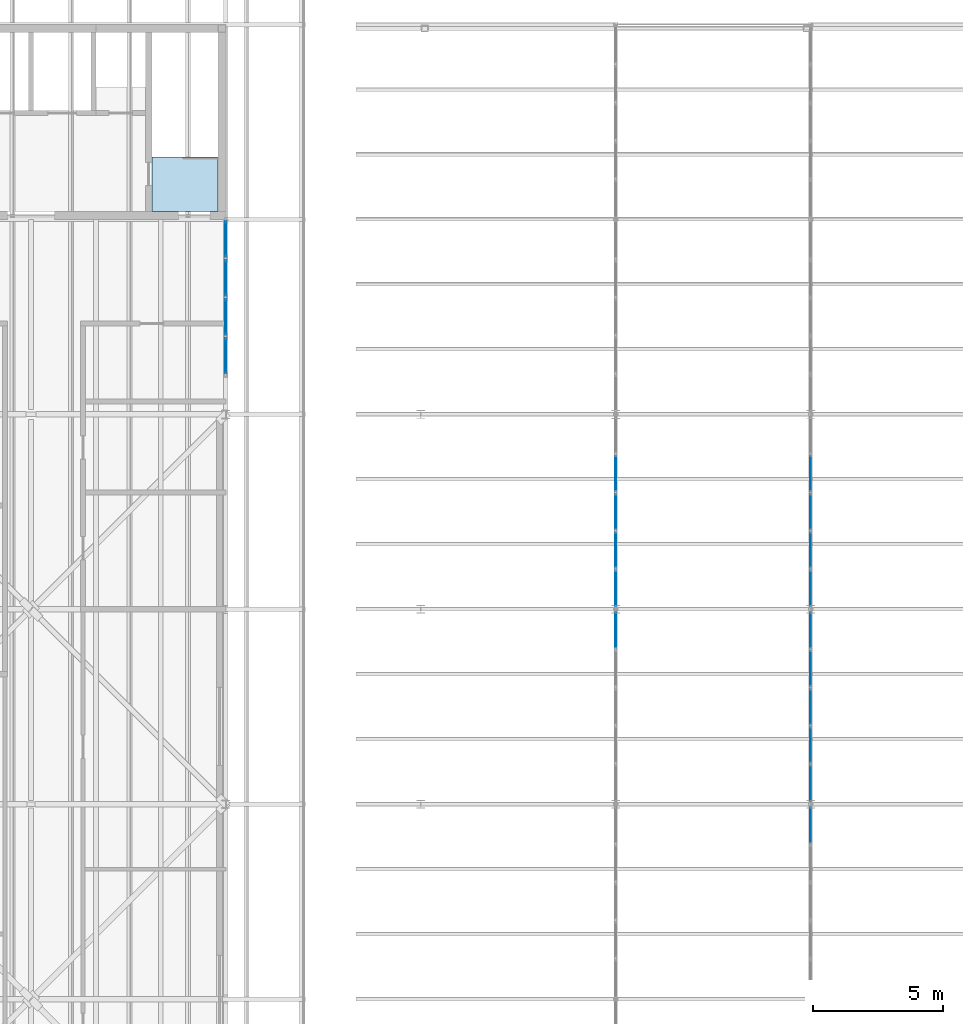
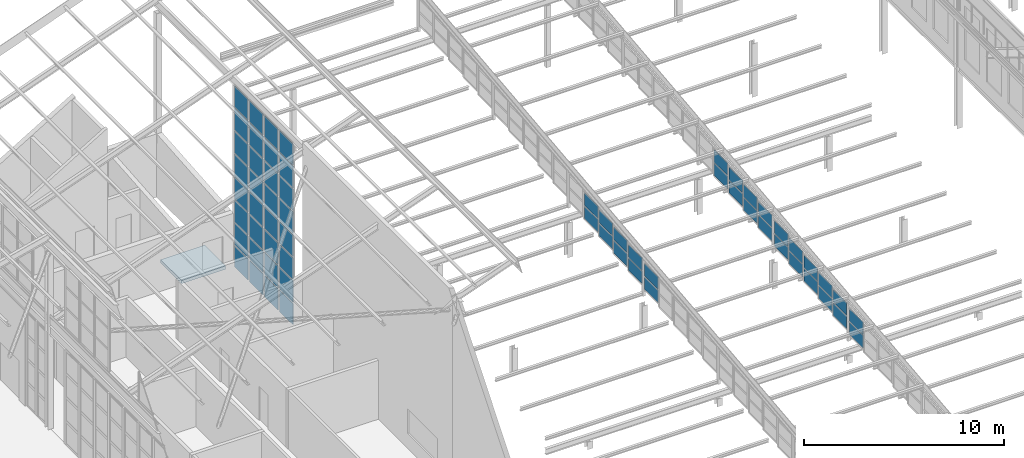
# One storey, part 112 of 483: 62 plates, 1 slab, 19 elements without a shape of their own.
"""IFC4 building model written with IfcOpenShell, lengths in metres."""

import ifcopenshell
import ifcopenshell.guid

model = None  # the IFC model being written
_history = None  # IfcOwnerHistory: only IFC2X3 demands one
_inside = {}  # id of a spatial element -> (the spatial element, [elements in it])
_under = {}  # id of a project, library or spatial element -> (it, [spatial elements below it])
_declared = {}  # id of a project -> (the project, [libraries it declares])
_typed = {}  # id of a type object -> (the type object, [elements of that type])
_made_of = {}  # id of a material, layer set ... -> (it, [elements and type objects made of it])


def new_model(schema):
    """Start an empty IFC model of exactly this schema.

    Asked for "IFC4X3", IfcOpenShell would pick the latest addendum, in which some entities
    have other attributes; the version numbers below select the first issue.
    IFC2X3 requires an IfcOwnerHistory on every rooted entity: one is made here for all.
    """
    global model, _history
    if schema == "IFC4X3":
        model = ifcopenshell.file(schema_version=(4, 3, 0, 0))
    else:
        model = ifcopenshell.file(schema=schema)
    _inside.clear()
    _under.clear()
    _declared.clear()
    _typed.clear()
    _made_of.clear()
    _history = None
    if model.schema == "IFC2X3":
        org = make("IfcOrganization", Name="unknown")
        user = make(
            "IfcPersonAndOrganization",
            ThePerson=make("IfcPerson", FamilyName="unknown"),
            TheOrganization=org,
        )
        app = make(
            "IfcApplication",
            ApplicationDeveloper=org,
            Version="unknown",
            ApplicationFullName="unknown",
            ApplicationIdentifier="unknown",
        )
        _history = make(
            "IfcOwnerHistory",
            OwningUser=user,
            OwningApplication=app,
            ChangeAction="ADDED",
            CreationDate=0,
        )
    return model


def make(cls, **values):
    """One entity of the class cls with the attributes given. An attribute that is None is left unset."""
    return model.create_entity(
        cls, **{name: value for name, value in values.items() if value is not None}
    )


def rooted(cls, **values):
    """An entity with a GlobalId (a new one), such as an element, a storey or a relation."""
    return make(cls, GlobalId=ifcopenshell.guid.new(), OwnerHistory=_history, **values)


def si_unit(unit_type, name, prefix=None):
    """IfcSIUnit, for example si_unit("LENGTHUNIT", "METRE", prefix="MILLI")."""
    return make("IfcSIUnit", UnitType=unit_type, Prefix=prefix, Name=name)


def assignment(units):
    """IfcUnitAssignment: the units of a project."""
    return None if units is None else make("IfcUnitAssignment", Units=units)


def point(xyz):
    """IfcCartesianPoint."""
    return None if xyz is None else make("IfcCartesianPoint", Coordinates=xyz)


def direction(xyz):
    """IfcDirection."""
    return None if xyz is None else make("IfcDirection", DirectionRatios=xyz)


def frame(location, z_axis=None, x_axis=None):
    """IfcAxis2Placement3D, a coordinate frame: its origin and axes. An axis left out is left unset."""
    return make(
        "IfcAxis2Placement3D",
        Location=point(location),
        Axis=direction(z_axis),
        RefDirection=direction(x_axis),
    )


def frame_2d(location, x_axis=None):
    """IfcAxis2Placement2D, a coordinate frame in the plane: its origin and x axis."""
    return make(
        "IfcAxis2Placement2D", Location=point(location), RefDirection=direction(x_axis)
    )


def origin():
    """The frame at (0, 0, 0) with its axes left unset."""
    return frame((0.0, 0.0, 0.0))


def origin_2d():
    """The frame at (0, 0) in the plane with its x axis left unset."""
    return frame_2d((0.0, 0.0))


def place(relative_to, where):
    """IfcLocalPlacement: puts the frame where relative to a parent placement (None: the world)."""
    return make(
        "IfcLocalPlacement", PlacementRelTo=relative_to, RelativePlacement=where
    )


def context(
    kind, dimensions, precision=None, world=None, true_north=None, identifier=None
):
    """IfcGeometricRepresentationContext, for example the 3D "Model" context."""
    return make(
        "IfcGeometricRepresentationContext",
        ContextIdentifier=identifier,
        ContextType=kind,
        CoordinateSpaceDimension=dimensions,
        Precision=precision,
        WorldCoordinateSystem=world,
        TrueNorth=true_north,
    )


def subcontext(parent, identifier, kind, view, scale=None):
    """IfcGeometricRepresentationSubContext, for example "Body" below "Model"."""
    return make(
        "IfcGeometricRepresentationSubContext",
        ContextIdentifier=identifier,
        ContextType=kind,
        ParentContext=parent,
        TargetScale=scale,
        TargetView=view,
    )


def project(units=None, contexts=None):
    """IfcProject with its units and contexts."""
    return rooted(
        "IfcProject",
        Name="project",
        RepresentationContexts=contexts,
        UnitsInContext=assignment(units),
    )


def spatial(cls, under=None, at=None, **own):
    """A site, building, storey or space (cls), placed at a placement, below another one or the project."""
    s = rooted(cls, ObjectPlacement=at, **own)
    if under is not None:
        _under.setdefault(under.id(), (under, []))[1].append(s)
    return s


def polyline(points):
    """IfcPolyline through the points."""
    return make("IfcPolyline", Points=[point(p) for p in points])


def profile(cls, at=None, kind="AREA", **sizes):
    """A parametric profile (cls). Its sizes go by their IFC names, for example OverallWidth=200.0."""
    return make(cls, ProfileType=kind, Position=at, **sizes)


def rectangle(**sizes):
    """IfcRectangleProfileDef."""
    return profile("IfcRectangleProfileDef", **sizes)


def outline(outer, holes=None, kind="AREA"):
    """IfcArbitraryClosedProfileDef: a profile drawn as a closed curve; with holes, ...WithVoids."""
    if holes is None:
        return make("IfcArbitraryClosedProfileDef", ProfileType=kind, OuterCurve=outer)
    return make(
        "IfcArbitraryProfileDefWithVoids",
        ProfileType=kind,
        OuterCurve=outer,
        InnerCurves=holes,
    )


def extrude(swept, where, along, depth):
    """IfcExtrudedAreaSolid: the profile swept, set in the frame where, extruded along a direction by depth."""
    return make(
        "IfcExtrudedAreaSolid",
        SweptArea=swept,
        Position=where,
        ExtrudedDirection=direction(along),
        Depth=depth,
    )


def shape(context_of_items, identifier, shape_type, items):
    """IfcShapeRepresentation: the items that make up one representation, for example the "Body"."""
    return make(
        "IfcShapeRepresentation",
        ContextOfItems=context_of_items,
        RepresentationIdentifier=identifier,
        RepresentationType=shape_type,
        Items=items,
    )


def material(Name=None, Category=None):
    """IfcMaterial."""
    return make("IfcMaterial", Name=Name, Category=Category)


def layer(
    of_material, thickness, ventilated=None, Name=None, Category=None, Priority=None
):
    """IfcMaterialLayer: one layer of a wall or slab, of a material (None: an air gap)."""
    return make(
        "IfcMaterialLayer",
        Material=of_material,
        LayerThickness=thickness,
        IsVentilated=ventilated,
        Name=Name,
        Category=Category,
        Priority=Priority,
    )


def layer_set(layers, Name=None):
    """IfcMaterialLayerSet."""
    return make("IfcMaterialLayerSet", MaterialLayers=layers, LayerSetName=Name)


def made_of(thing, what):
    """Note that an element or type object is made of a material, layer set ...; save() writes the relation."""
    if what is not None:
        _made_of.setdefault(what.id(), (what, []))[1].append(thing)
    return thing


def type_object(cls, material=None, **own):
    """A type object (cls), such as IfcWallType, which elements share."""
    return made_of(rooted(cls, **own), material)


def element(
    cls,
    number,
    at=None,
    inside=None,
    cuts=None,
    type_object=None,
    material=None,
    context=None,
    identifier="Body",
    shape_type=None,
    held_by="IfcProductDefinitionShape",
    body=None,
    shapes=None,
    **own,
):
    """One element of the class cls, such as IfcWall. Its Tag is "e" and its number.

    at: its placement. inside: the storey or other place that contains it. cuts: it is an
    opening in that element (IfcRelVoidsElement). A single representation is given by context,
    identifier, shape_type and body (its items); several are given by shapes. held_by: the class
    of the entity that holds the representations. save() writes the other relations.
    """
    e = rooted(cls, Tag="e%d" % number, ObjectPlacement=at, **own)
    if body is not None:
        shapes = [shape(context, identifier, shape_type, body)]
    if shapes is not None:
        e.Representation = make(held_by, Representations=shapes)
    if inside is not None:
        _inside.setdefault(inside.id(), (inside, []))[1].append(e)
    if cuts is not None:
        rooted(
            "IfcRelVoidsElement", RelatingBuildingElement=cuts, RelatedOpeningElement=e
        )
    if type_object is not None:
        _typed.setdefault(type_object.id(), (type_object, []))[1].append(e)
    return made_of(e, material)


def aggregate(whole, parts):
    """IfcRelAggregates: a whole, such as a stair, and the parts it consists of."""
    return rooted("IfcRelAggregates", RelatingObject=whole, RelatedObjects=parts)


def save(model, path):
    """Write the relations noted so far, then the file.

    IfcRelAggregates (storeys below a building ...), IfcRelContainedInSpatialStructure (elements
    in a storey), IfcRelDefinesByType, IfcRelAssociatesMaterial and IfcRelDeclares: one each for
    every whole, place, type object, material and project.
    """
    for whole, parts in _under.values():
        aggregate(whole, parts)
    for where, things in _inside.values():
        rooted(
            "IfcRelContainedInSpatialStructure",
            RelatedElements=things,
            RelatingStructure=where,
        )
    for kind, things in _typed.values():
        rooted("IfcRelDefinesByType", RelatedObjects=things, RelatingType=kind)
    for what, things in _made_of.values():
        rooted("IfcRelAssociatesMaterial", RelatedObjects=things, RelatingMaterial=what)
    for by, libraries in _declared.values():
        rooted("IfcRelDeclares", RelatingContext=by, RelatedDefinitions=libraries)
    model.write(path)


model = new_model("IFC4")

# Units and contexts
model_context = context("Model", 3, precision=1e-05, world=origin(), true_north=direction((0.0, 1.0)))
body_context = subcontext(model_context, "Body", "Model", "MODEL_VIEW")
ifc_project = project(units=[si_unit("LENGTHUNIT", "METRE"), si_unit("AREAUNIT", "SQUARE_METRE"), si_unit("VOLUMEUNIT", "CUBIC_METRE"), si_unit("PLANEANGLEUNIT", "RADIAN"), si_unit("MASSUNIT", "GRAM", prefix="KILO")], contexts=[model_context])

# Site, building, storey
site_placement = place(None, origin())
site = spatial("IfcSite", under=ifc_project, at=site_placement, CompositionType="ELEMENT")
building_placement = place(site_placement, origin())
building = spatial("IfcBuilding", under=site, at=building_placement, Name="Parallax Yard Mobility Hub", CompositionType="ELEMENT")
storey_placement = place(building_placement, frame((0.0, 0.0, 13.199951171875)))
storey = spatial("IfcBuildingStorey", under=building, at=storey_placement, Name="L04", CompositionType="ELEMENT", Elevation=13.199951171875)

# Curtain wall, plates
ifc_material_1 = material(Name="Thermally broken aluminium curtain wall system", Category="aluminium")
curtain_wall_type_1 = type_object("IfcCurtainWallType", Name="Clerestory glazing run 60 x 120 frame", PredefinedType="NOTDEFINED", material=ifc_material_1)
curtain_wall_1_placement = place(storey_placement, origin())
curtain_wall_1 = element("IfcCurtainWall", 1, at=curtain_wall_1_placement, inside=storey, type_object=curtain_wall_type_1, Name="Clerestory glazing run Bicycle and shared-mobility hall roof step 1 bay 3 level L02", PredefinedType="NOTDEFINED")
ifc_material_2 = material(Name="Laminated low-E double glazing", Category="glass")
ifc_layer_1 = layer(ifc_material_2, 0.028076171875)
ifc_layer_set_1 = layer_set([ifc_layer_1], Name="Glazing panel 28")
plate_type_1 = type_object("IfcPlateType", Name="Glazing panel 28", PredefinedType="CURTAIN_PANEL", material=ifc_layer_set_1)
plate_1_placement = place(storey_placement, frame((157.5, 29.18896484375, 2.568115234375), z_axis=(0.0, 0.0, 1.0), x_axis=(0.0, 1.0, 0.0)))
plate_1 = element("IfcPlate", 2, at=plate_1_placement, type_object=plate_type_1, Name="CW4 panel 1.1", PredefinedType="CURTAIN_PANEL", context=body_context, shape_type="SweptSolid", body=[
    extrude(rectangle(XDim=1.349609375, YDim=0.028076171875, at=origin_2d()), origin(), (0.0, 0.0, 1.0), 0.75830078125),
])
plate_2_placement = place(storey_placement, frame((157.5, 29.18896484375, 3.386474609375), z_axis=(0.0, 0.0, 1.0), x_axis=(0.0, 1.0, 0.0)))
plate_2 = element("IfcPlate", 3, at=plate_2_placement, type_object=plate_type_1, Name="CW4 panel 1.2", PredefinedType="CURTAIN_PANEL", context=body_context, shape_type="SweptSolid", body=[
    extrude(rectangle(XDim=1.349609375, YDim=0.028076171875, at=origin_2d()), origin(), (0.0, 0.0, 1.0), 0.75830078125),
])
aggregate(curtain_wall_1, [plate_1, plate_2])

curtain_wall_2_placement = place(storey_placement, origin())
curtain_wall_2 = element("IfcCurtainWall", 4, at=curtain_wall_2_placement, inside=storey, type_object=curtain_wall_type_1, Name="Clerestory glazing run Bicycle and shared-mobility hall roof step 1 bay 4 level L02", PredefinedType="NOTDEFINED")
plate_3_placement = place(storey_placement, frame((157.5, 30.81103515625, 2.74853515625), z_axis=(0.0, 0.0, 1.0), x_axis=(0.0, 1.0, 0.0)))
plate_3 = element("IfcPlate", 5, at=plate_3_placement, type_object=plate_type_1, Name="CW4 panel 1.1", PredefinedType="CURTAIN_PANEL", context=body_context, shape_type="SweptSolid", body=[
    extrude(rectangle(XDim=1.349609375, YDim=0.028076171875, at=origin_2d()), origin(), (0.0, 0.0, 1.0), 0.757080078125),
])
plate_4_placement = place(storey_placement, frame((157.5, 30.81103515625, 3.5654296875), z_axis=(0.0, 0.0, 1.0), x_axis=(0.0, 1.0, 0.0)))
plate_4 = element("IfcPlate", 6, at=plate_4_placement, type_object=plate_type_1, Name="CW4 panel 1.2", PredefinedType="CURTAIN_PANEL", context=body_context, shape_type="SweptSolid", body=[
    extrude(rectangle(XDim=1.349609375, YDim=0.028076171875, at=origin_2d()), origin(), (0.0, 0.0, 1.0), 0.757080078125),
])
aggregate(curtain_wall_2, [plate_3, plate_4])

curtain_wall_3_placement = place(storey_placement, origin())
curtain_wall_3 = element("IfcCurtainWall", 7, at=curtain_wall_3_placement, inside=storey, type_object=curtain_wall_type_1, Name="Clerestory glazing run Bicycle and shared-mobility hall roof step 1 bay 4 level L02", PredefinedType="NOTDEFINED")
plate_5_placement = place(storey_placement, frame((157.5, 32.280517578125, 2.91162109375), z_axis=(0.0, 0.0, 1.0), x_axis=(0.0, 1.0, 0.0)))
plate_5 = element("IfcPlate", 8, at=plate_5_placement, type_object=plate_type_1, Name="CW4 panel 1.1", PredefinedType="CURTAIN_PANEL", context=body_context, shape_type="SweptSolid", body=[
    extrude(rectangle(XDim=1.349609375, YDim=0.028076171875, at=origin_2d()), origin(), (0.0, 0.0, 1.0), 0.7587890625),
])
plate_6_placement = place(storey_placement, frame((157.5, 32.280517578125, 3.73046875), z_axis=(0.0, 0.0, 1.0), x_axis=(0.0, 1.0, 0.0)))
plate_6 = element("IfcPlate", 9, at=plate_6_placement, type_object=plate_type_1, Name="CW4 panel 1.2", PredefinedType="CURTAIN_PANEL", context=body_context, shape_type="SweptSolid", body=[
    extrude(rectangle(XDim=1.349609375, YDim=0.028076171875, at=origin_2d()), origin(), (0.0, 0.0, 1.0), 0.7587890625),
])
aggregate(curtain_wall_3, [plate_5, plate_6])

curtain_wall_4_placement = place(storey_placement, origin())
curtain_wall_4 = element("IfcCurtainWall", 10, at=curtain_wall_4_placement, inside=storey, type_object=curtain_wall_type_1, Name="Clerestory glazing run Bicycle and shared-mobility hall roof step 1 bay 4 level L02", PredefinedType="NOTDEFINED")
plate_7_placement = place(storey_placement, frame((157.5, 33.75, 3.07470703125), z_axis=(0.0, 0.0, 1.0), x_axis=(0.0, 1.0, 0.0)))
plate_7 = element("IfcPlate", 11, at=plate_7_placement, type_object=plate_type_1, Name="CW4 panel 1.1", PredefinedType="CURTAIN_PANEL", context=body_context, shape_type="SweptSolid", body=[
    extrude(rectangle(XDim=1.349609375, YDim=0.028076171875, at=origin_2d()), origin(), (0.0, 0.0, 1.0), 0.760498046875),
])
plate_8_placement = place(storey_placement, frame((157.5, 33.75, 3.8955078125), z_axis=(0.0, 0.0, 1.0), x_axis=(0.0, 1.0, 0.0)))
plate_8 = element("IfcPlate", 12, at=plate_8_placement, type_object=plate_type_1, Name="CW4 panel 1.2", PredefinedType="CURTAIN_PANEL", context=body_context, shape_type="SweptSolid", body=[
    extrude(rectangle(XDim=1.349609375, YDim=0.028076171875, at=origin_2d()), origin(), (0.0, 0.0, 1.0), 0.760498046875),
])
aggregate(curtain_wall_4, [plate_7, plate_8])

curtain_wall_5_placement = place(storey_placement, origin())
curtain_wall_5 = element("IfcCurtainWall", 13, at=curtain_wall_5_placement, inside=storey, type_object=curtain_wall_type_1, Name="Clerestory glazing run Bicycle and shared-mobility hall roof step 1 bay 4 level L02", PredefinedType="NOTDEFINED")
plate_9_placement = place(storey_placement, frame((157.5, 35.219482421875, 3.23828125), z_axis=(0.0, 0.0, 1.0), x_axis=(0.0, 1.0, 0.0)))
plate_9 = element("IfcPlate", 14, at=plate_9_placement, type_object=plate_type_1, Name="CW4 panel 1.1", PredefinedType="CURTAIN_PANEL", context=body_context, shape_type="SweptSolid", body=[
    extrude(rectangle(XDim=1.349609375, YDim=0.028076171875, at=origin_2d()), origin(), (0.0, 0.0, 1.0), 0.756591796875),
])
plate_10_placement = place(storey_placement, frame((157.5, 35.219482421875, 4.0546875), z_axis=(0.0, 0.0, 1.0), x_axis=(0.0, 1.0, 0.0)))
plate_10 = element("IfcPlate", 15, at=plate_10_placement, type_object=plate_type_1, Name="CW4 panel 1.2", PredefinedType="CURTAIN_PANEL", context=body_context, shape_type="SweptSolid", body=[
    extrude(rectangle(XDim=1.349609375, YDim=0.028076171875, at=origin_2d()), origin(), (0.0, 0.0, 1.0), 0.756591796875),
])
aggregate(curtain_wall_5, [plate_9, plate_10])

curtain_wall_6_placement = place(storey_placement, origin())
curtain_wall_6 = element("IfcCurtainWall", 16, at=curtain_wall_6_placement, inside=storey, type_object=curtain_wall_type_1, Name="Clerestory glazing run Bicycle and shared-mobility hall roof step 2 bay 2 level L02", PredefinedType="NOTDEFINED")
plate_11_placement = place(storey_placement, frame((165.0, 21.68896484375, 1.73486328125), z_axis=(0.0, 0.0, 1.0), x_axis=(0.0, 1.0, 0.0)))
plate_11 = element("IfcPlate", 17, at=plate_11_placement, type_object=plate_type_1, Name="CW4 panel 1.1", PredefinedType="CURTAIN_PANEL", context=body_context, shape_type="SweptSolid", body=[
    extrude(rectangle(XDim=1.349609375, YDim=0.028076171875, at=origin_2d()), origin(), (0.0, 0.0, 1.0), 0.75830078125),
])
plate_12_placement = place(storey_placement, frame((165.0, 21.68896484375, 2.55322265625), z_axis=(0.0, 0.0, 1.0), x_axis=(0.0, 1.0, 0.0)))
plate_12 = element("IfcPlate", 18, at=plate_12_placement, type_object=plate_type_1, Name="CW4 panel 1.2", PredefinedType="CURTAIN_PANEL", context=body_context, shape_type="SweptSolid", body=[
    extrude(rectangle(XDim=1.349609375, YDim=0.028076171875, at=origin_2d()), origin(), (0.0, 0.0, 1.0), 0.75830078125),
])
aggregate(curtain_wall_6, [plate_11, plate_12])

curtain_wall_7_placement = place(storey_placement, origin())
curtain_wall_7 = element("IfcCurtainWall", 19, at=curtain_wall_7_placement, inside=storey, type_object=curtain_wall_type_1, Name="Clerestory glazing run Bicycle and shared-mobility hall roof step 2 bay 3 level L02", PredefinedType="NOTDEFINED")
plate_13_placement = place(storey_placement, frame((165.0, 23.31103515625, 1.9150390625), z_axis=(0.0, 0.0, 1.0), x_axis=(0.0, 1.0, 0.0)))
plate_13 = element("IfcPlate", 20, at=plate_13_placement, type_object=plate_type_1, Name="CW4 panel 1.1", PredefinedType="CURTAIN_PANEL", context=body_context, shape_type="SweptSolid", body=[
    extrude(rectangle(XDim=1.349609375, YDim=0.028076171875, at=origin_2d()), origin(), (0.0, 0.0, 1.0), 0.757080078125),
])
plate_14_placement = place(storey_placement, frame((165.0, 23.31103515625, 2.73193359375), z_axis=(0.0, 0.0, 1.0), x_axis=(0.0, 1.0, 0.0)))
plate_14 = element("IfcPlate", 21, at=plate_14_placement, type_object=plate_type_1, Name="CW4 panel 1.2", PredefinedType="CURTAIN_PANEL", context=body_context, shape_type="SweptSolid", body=[
    extrude(rectangle(XDim=1.349609375, YDim=0.028076171875, at=origin_2d()), origin(), (0.0, 0.0, 1.0), 0.757080078125),
])
aggregate(curtain_wall_7, [plate_13, plate_14])

curtain_wall_8_placement = place(storey_placement, origin())
curtain_wall_8 = element("IfcCurtainWall", 22, at=curtain_wall_8_placement, inside=storey, type_object=curtain_wall_type_1, Name="Clerestory glazing run Bicycle and shared-mobility hall roof step 2 bay 3 level L02", PredefinedType="NOTDEFINED")
plate_15_placement = place(storey_placement, frame((165.0, 24.780517578125, 2.078369140625), z_axis=(0.0, 0.0, 1.0), x_axis=(0.0, 1.0, 0.0)))
plate_15 = element("IfcPlate", 23, at=plate_15_placement, type_object=plate_type_1, Name="CW4 panel 1.1", PredefinedType="CURTAIN_PANEL", context=body_context, shape_type="SweptSolid", body=[
    extrude(rectangle(XDim=1.349609375, YDim=0.028076171875, at=origin_2d()), origin(), (0.0, 0.0, 1.0), 0.7587890625),
])
plate_16_placement = place(storey_placement, frame((165.0, 24.780517578125, 2.89697265625), z_axis=(0.0, 0.0, 1.0), x_axis=(0.0, 1.0, 0.0)))
plate_16 = element("IfcPlate", 24, at=plate_16_placement, type_object=plate_type_1, Name="CW4 panel 1.2", PredefinedType="CURTAIN_PANEL", context=body_context, shape_type="SweptSolid", body=[
    extrude(rectangle(XDim=1.349609375, YDim=0.028076171875, at=origin_2d()), origin(), (0.0, 0.0, 1.0), 0.7587890625),
])
aggregate(curtain_wall_8, [plate_15, plate_16])

curtain_wall_9_placement = place(storey_placement, origin())
curtain_wall_9 = element("IfcCurtainWall", 25, at=curtain_wall_9_placement, inside=storey, type_object=curtain_wall_type_1, Name="Clerestory glazing run Bicycle and shared-mobility hall roof step 2 bay 3 level L02", PredefinedType="NOTDEFINED")
plate_17_placement = place(storey_placement, frame((165.0, 26.25, 2.24169921875), z_axis=(0.0, 0.0, 1.0), x_axis=(0.0, 1.0, 0.0)))
plate_17 = element("IfcPlate", 26, at=plate_17_placement, type_object=plate_type_1, Name="CW4 panel 1.1", PredefinedType="CURTAIN_PANEL", context=body_context, shape_type="SweptSolid", body=[
    extrude(rectangle(XDim=1.349609375, YDim=0.028076171875, at=origin_2d()), origin(), (0.0, 0.0, 1.0), 0.760498046875),
])
plate_18_placement = place(storey_placement, frame((165.0, 26.25, 3.06201171875), z_axis=(0.0, 0.0, 1.0), x_axis=(0.0, 1.0, 0.0)))
plate_18 = element("IfcPlate", 27, at=plate_18_placement, type_object=plate_type_1, Name="CW4 panel 1.2", PredefinedType="CURTAIN_PANEL", context=body_context, shape_type="SweptSolid", body=[
    extrude(rectangle(XDim=1.349609375, YDim=0.028076171875, at=origin_2d()), origin(), (0.0, 0.0, 1.0), 0.760498046875),
])
aggregate(curtain_wall_9, [plate_17, plate_18])

curtain_wall_10_placement = place(storey_placement, origin())
curtain_wall_10 = element("IfcCurtainWall", 28, at=curtain_wall_10_placement, inside=storey, type_object=curtain_wall_type_1, Name="Clerestory glazing run Bicycle and shared-mobility hall roof step 2 bay 3 level L02", PredefinedType="NOTDEFINED")
plate_19_placement = place(storey_placement, frame((165.0, 27.719482421875, 2.40478515625), z_axis=(0.0, 0.0, 1.0), x_axis=(0.0, 1.0, 0.0)))
plate_19 = element("IfcPlate", 29, at=plate_19_placement, type_object=plate_type_1, Name="CW4 panel 1.1", PredefinedType="CURTAIN_PANEL", context=body_context, shape_type="SweptSolid", body=[
    extrude(rectangle(XDim=1.349609375, YDim=0.028076171875, at=origin_2d()), origin(), (0.0, 0.0, 1.0), 0.756591796875),
])
plate_20_placement = place(storey_placement, frame((165.0, 27.719482421875, 3.2216796875), z_axis=(0.0, 0.0, 1.0), x_axis=(0.0, 1.0, 0.0)))
plate_20 = element("IfcPlate", 30, at=plate_20_placement, type_object=plate_type_1, Name="CW4 panel 1.2", PredefinedType="CURTAIN_PANEL", context=body_context, shape_type="SweptSolid", body=[
    extrude(rectangle(XDim=1.349609375, YDim=0.028076171875, at=origin_2d()), origin(), (0.0, 0.0, 1.0), 0.756591796875),
])
aggregate(curtain_wall_10, [plate_19, plate_20])

curtain_wall_11_placement = place(storey_placement, origin())
curtain_wall_11 = element("IfcCurtainWall", 31, at=curtain_wall_11_placement, inside=storey, type_object=curtain_wall_type_1, Name="Clerestory glazing run Bicycle and shared-mobility hall roof step 2 bay 3 level L02", PredefinedType="NOTDEFINED")
plate_21_placement = place(storey_placement, frame((165.0, 29.18896484375, 2.568115234375), z_axis=(0.0, 0.0, 1.0), x_axis=(0.0, 1.0, 0.0)))
plate_21 = element("IfcPlate", 32, at=plate_21_placement, type_object=plate_type_1, Name="CW4 panel 1.1", PredefinedType="CURTAIN_PANEL", context=body_context, shape_type="SweptSolid", body=[
    extrude(rectangle(XDim=1.349609375, YDim=0.028076171875, at=origin_2d()), origin(), (0.0, 0.0, 1.0), 0.75830078125),
])
plate_22_placement = place(storey_placement, frame((165.0, 29.18896484375, 3.386474609375), z_axis=(0.0, 0.0, 1.0), x_axis=(0.0, 1.0, 0.0)))
plate_22 = element("IfcPlate", 33, at=plate_22_placement, type_object=plate_type_1, Name="CW4 panel 1.2", PredefinedType="CURTAIN_PANEL", context=body_context, shape_type="SweptSolid", body=[
    extrude(rectangle(XDim=1.349609375, YDim=0.028076171875, at=origin_2d()), origin(), (0.0, 0.0, 1.0), 0.75830078125),
])
aggregate(curtain_wall_11, [plate_21, plate_22])

curtain_wall_12_placement = place(storey_placement, origin())
curtain_wall_12 = element("IfcCurtainWall", 34, at=curtain_wall_12_placement, inside=storey, type_object=curtain_wall_type_1, Name="Clerestory glazing run Bicycle and shared-mobility hall roof step 2 bay 4 level L02", PredefinedType="NOTDEFINED")
plate_23_placement = place(storey_placement, frame((165.0, 30.81103515625, 2.74853515625), z_axis=(0.0, 0.0, 1.0), x_axis=(0.0, 1.0, 0.0)))
plate_23 = element("IfcPlate", 35, at=plate_23_placement, type_object=plate_type_1, Name="CW4 panel 1.1", PredefinedType="CURTAIN_PANEL", context=body_context, shape_type="SweptSolid", body=[
    extrude(rectangle(XDim=1.349609375, YDim=0.028076171875, at=origin_2d()), origin(), (0.0, 0.0, 1.0), 0.757080078125),
])
plate_24_placement = place(storey_placement, frame((165.0, 30.81103515625, 3.5654296875), z_axis=(0.0, 0.0, 1.0), x_axis=(0.0, 1.0, 0.0)))
plate_24 = element("IfcPlate", 36, at=plate_24_placement, type_object=plate_type_1, Name="CW4 panel 1.2", PredefinedType="CURTAIN_PANEL", context=body_context, shape_type="SweptSolid", body=[
    extrude(rectangle(XDim=1.349609375, YDim=0.028076171875, at=origin_2d()), origin(), (0.0, 0.0, 1.0), 0.757080078125),
])
aggregate(curtain_wall_12, [plate_23, plate_24])

curtain_wall_13_placement = place(storey_placement, origin())
curtain_wall_13 = element("IfcCurtainWall", 37, at=curtain_wall_13_placement, inside=storey, type_object=curtain_wall_type_1, Name="Clerestory glazing run Bicycle and shared-mobility hall roof step 2 bay 4 level L02", PredefinedType="NOTDEFINED")
plate_25_placement = place(storey_placement, frame((165.0, 32.280517578125, 2.91162109375), z_axis=(0.0, 0.0, 1.0), x_axis=(0.0, 1.0, 0.0)))
plate_25 = element("IfcPlate", 38, at=plate_25_placement, type_object=plate_type_1, Name="CW4 panel 1.1", PredefinedType="CURTAIN_PANEL", context=body_context, shape_type="SweptSolid", body=[
    extrude(rectangle(XDim=1.349609375, YDim=0.028076171875, at=origin_2d()), origin(), (0.0, 0.0, 1.0), 0.7587890625),
])
plate_26_placement = place(storey_placement, frame((165.0, 32.280517578125, 3.73046875), z_axis=(0.0, 0.0, 1.0), x_axis=(0.0, 1.0, 0.0)))
plate_26 = element("IfcPlate", 39, at=plate_26_placement, type_object=plate_type_1, Name="CW4 panel 1.2", PredefinedType="CURTAIN_PANEL", context=body_context, shape_type="SweptSolid", body=[
    extrude(rectangle(XDim=1.349609375, YDim=0.028076171875, at=origin_2d()), origin(), (0.0, 0.0, 1.0), 0.7587890625),
])
aggregate(curtain_wall_13, [plate_25, plate_26])

curtain_wall_14_placement = place(storey_placement, origin())
curtain_wall_14 = element("IfcCurtainWall", 40, at=curtain_wall_14_placement, inside=storey, type_object=curtain_wall_type_1, Name="Clerestory glazing run Bicycle and shared-mobility hall roof step 2 bay 4 level L02", PredefinedType="NOTDEFINED")
plate_27_placement = place(storey_placement, frame((165.0, 33.75, 3.07470703125), z_axis=(0.0, 0.0, 1.0), x_axis=(0.0, 1.0, 0.0)))
plate_27 = element("IfcPlate", 41, at=plate_27_placement, type_object=plate_type_1, Name="CW4 panel 1.1", PredefinedType="CURTAIN_PANEL", context=body_context, shape_type="SweptSolid", body=[
    extrude(rectangle(XDim=1.349609375, YDim=0.028076171875, at=origin_2d()), origin(), (0.0, 0.0, 1.0), 0.760498046875),
])
plate_28_placement = place(storey_placement, frame((165.0, 33.75, 3.8955078125), z_axis=(0.0, 0.0, 1.0), x_axis=(0.0, 1.0, 0.0)))
plate_28 = element("IfcPlate", 42, at=plate_28_placement, type_object=plate_type_1, Name="CW4 panel 1.2", PredefinedType="CURTAIN_PANEL", context=body_context, shape_type="SweptSolid", body=[
    extrude(rectangle(XDim=1.349609375, YDim=0.028076171875, at=origin_2d()), origin(), (0.0, 0.0, 1.0), 0.760498046875),
])
aggregate(curtain_wall_14, [plate_27, plate_28])

curtain_wall_15_placement = place(storey_placement, origin())
curtain_wall_15 = element("IfcCurtainWall", 43, at=curtain_wall_15_placement, inside=storey, type_object=curtain_wall_type_1, Name="Clerestory glazing run Bicycle and shared-mobility hall roof step 2 bay 4 level L02", PredefinedType="NOTDEFINED")
plate_29_placement = place(storey_placement, frame((165.0, 35.219482421875, 3.23828125), z_axis=(0.0, 0.0, 1.0), x_axis=(0.0, 1.0, 0.0)))
plate_29 = element("IfcPlate", 44, at=plate_29_placement, type_object=plate_type_1, Name="CW4 panel 1.1", PredefinedType="CURTAIN_PANEL", context=body_context, shape_type="SweptSolid", body=[
    extrude(rectangle(XDim=1.349609375, YDim=0.028076171875, at=origin_2d()), origin(), (0.0, 0.0, 1.0), 0.756591796875),
])
plate_30_placement = place(storey_placement, frame((165.0, 35.219482421875, 4.0546875), z_axis=(0.0, 0.0, 1.0), x_axis=(0.0, 1.0, 0.0)))
plate_30 = element("IfcPlate", 45, at=plate_30_placement, type_object=plate_type_1, Name="CW4 panel 1.2", PredefinedType="CURTAIN_PANEL", context=body_context, shape_type="SweptSolid", body=[
    extrude(rectangle(XDim=1.349609375, YDim=0.028076171875, at=origin_2d()), origin(), (0.0, 0.0, 1.0), 0.756591796875),
])
aggregate(curtain_wall_15, [plate_29, plate_30])

curtain_wall_type_2 = type_object("IfcCurtainWallType", Name="Tall curtain wall run 75 x 200 frame", PredefinedType="NOTDEFINED", material=ifc_material_1)
curtain_wall_16_placement = place(storey_placement, origin())
curtain_wall_16 = element("IfcCurtainWall", 46, at=curtain_wall_16_placement, inside=storey, type_object=curtain_wall_type_2, Name="Curtain wall run Rooftop sports deck east bay 3 level L04", PredefinedType="NOTDEFINED")
ifc_layer_2 = layer(ifc_material_2, 0.031982421875)
ifc_layer_set_2 = layer_set([ifc_layer_2], Name="Glazing panel 32")
plate_type_2 = type_object("IfcPlateType", Name="Glazing panel 32", PredefinedType="CURTAIN_PANEL", material=ifc_layer_set_2)
plate_31_placement = place(storey_placement, frame((142.5, 39.75, 0.074951171875), z_axis=(0.0, 0.0, 1.0), x_axis=(0.0, 1.0, 0.0)))
plate_31 = element("IfcPlate", 47, at=plate_31_placement, type_object=plate_type_2, Name="CW3 panel 1.1", PredefinedType="CURTAIN_PANEL", context=body_context, shape_type="SweptSolid", body=[
    extrude(rectangle(XDim=1.35009765625, YDim=0.031982421875, at=origin_2d()), origin(), (0.0, 0.0, 1.0), 1.28759765625),
])
plate_32_placement = place(storey_placement, frame((142.5, 39.75, 1.4375), z_axis=(0.0, 0.0, 1.0), x_axis=(0.0, 1.0, 0.0)))
plate_32 = element("IfcPlate", 48, at=plate_32_placement, type_object=plate_type_2, Name="CW3 panel 1.2", PredefinedType="CURTAIN_PANEL", context=body_context, shape_type="SweptSolid", body=[
    extrude(rectangle(XDim=1.35009765625, YDim=0.031982421875, at=origin_2d()), origin(), (0.0, 0.0, 1.0), 1.324951171875),
])
plate_33_placement = place(storey_placement, frame((142.5, 39.75, 2.83740234375), z_axis=(0.0, 0.0, 1.0), x_axis=(0.0, 1.0, 0.0)))
plate_33 = element("IfcPlate", 49, at=plate_33_placement, type_object=plate_type_2, Name="CW3 panel 1.3", PredefinedType="CURTAIN_PANEL", context=body_context, shape_type="SweptSolid", body=[
    extrude(rectangle(XDim=1.35009765625, YDim=0.031982421875, at=origin_2d()), origin(), (0.0, 0.0, 1.0), 1.324951171875),
])
plate_34_placement = place(storey_placement, frame((142.5, 39.75, 4.23779296875), z_axis=(0.0, 0.0, 1.0), x_axis=(0.0, 1.0, 0.0)))
plate_34 = element("IfcPlate", 50, at=plate_34_placement, type_object=plate_type_2, Name="CW3 panel 1.4", PredefinedType="CURTAIN_PANEL", context=body_context, shape_type="SweptSolid", body=[
    extrude(rectangle(XDim=1.35009765625, YDim=0.031982421875, at=origin_2d()), origin(), (0.0, 0.0, 1.0), 1.324951171875),
])
plate_35_placement = place(storey_placement, frame((142.5, 39.75, 5.6376953125), z_axis=(0.0, 0.0, 1.0), x_axis=(0.0, 1.0, 0.0)))
plate_35 = element("IfcPlate", 51, at=plate_35_placement, type_object=plate_type_2, Name="CW3 panel 1.5", PredefinedType="CURTAIN_PANEL", context=body_context, shape_type="SweptSolid", body=[
    extrude(rectangle(XDim=1.35009765625, YDim=0.031982421875, at=origin_2d()), origin(), (0.0, 0.0, 1.0), 1.324951171875),
])
plate_36_placement = place(storey_placement, frame((142.5, 39.75, 7.03759765625), z_axis=(0.0, 0.0, 1.0), x_axis=(0.0, 1.0, 0.0)))
plate_36 = element("IfcPlate", 52, at=plate_36_placement, type_object=plate_type_2, Name="CW3 panel 1.6", PredefinedType="CURTAIN_PANEL", context=body_context, shape_type="SweptSolid", body=[
    extrude(rectangle(XDim=1.35009765625, YDim=0.031982421875, at=origin_2d()), origin(), (0.0, 0.0, 1.0), 1.324951171875),
])
plate_37_placement = place(storey_placement, frame((142.5, 39.75, 8.4375), z_axis=(0.0, 0.0, 1.0), x_axis=(0.0, 1.0, 0.0)))
plate_37 = element("IfcPlate", 53, at=plate_37_placement, type_object=plate_type_2, Name="CW3 panel 1.7", PredefinedType="CURTAIN_PANEL", context=body_context, shape_type="SweptSolid", body=[
    extrude(rectangle(XDim=1.35009765625, YDim=0.031982421875, at=origin_2d()), origin(), (0.0, 0.0, 1.0), 1.324951171875),
])
plate_38_placement = place(storey_placement, frame((142.5, 39.75, 9.83740234375), z_axis=(0.0, 0.0, 1.0), x_axis=(0.0, 1.0, 0.0)))
plate_38 = element("IfcPlate", 54, at=plate_38_placement, type_object=plate_type_2, Name="CW3 panel 1.8", PredefinedType="CURTAIN_PANEL", context=body_context, shape_type="SweptSolid", body=[
    extrude(rectangle(XDim=1.35009765625, YDim=0.031982421875, at=origin_2d()), origin(), (0.0, 0.0, 1.0), 1.28759765625),
])
aggregate(curtain_wall_16, [plate_31, plate_32, plate_33, plate_34, plate_35, plate_36, plate_37, plate_38])

curtain_wall_17_placement = place(storey_placement, origin())
curtain_wall_17 = element("IfcCurtainWall", 55, at=curtain_wall_17_placement, inside=storey, type_object=curtain_wall_type_2, Name="Curtain wall run Rooftop sports deck east bay 3 level L04", PredefinedType="NOTDEFINED")
plate_39_placement = place(storey_placement, frame((142.5, 41.25, 0.074951171875), z_axis=(0.0, 0.0, 1.0), x_axis=(0.0, 1.0, 0.0)))
plate_39 = element("IfcPlate", 56, at=plate_39_placement, type_object=plate_type_2, Name="CW3 panel 1.1", PredefinedType="CURTAIN_PANEL", context=body_context, shape_type="SweptSolid", body=[
    extrude(rectangle(XDim=1.35009765625, YDim=0.031982421875, at=origin_2d()), origin(), (0.0, 0.0, 1.0), 1.28759765625),
])
plate_40_placement = place(storey_placement, frame((142.5, 41.25, 1.4375), z_axis=(0.0, 0.0, 1.0), x_axis=(0.0, 1.0, 0.0)))
plate_40 = element("IfcPlate", 57, at=plate_40_placement, type_object=plate_type_2, Name="CW3 panel 1.2", PredefinedType="CURTAIN_PANEL", context=body_context, shape_type="SweptSolid", body=[
    extrude(rectangle(XDim=1.35009765625, YDim=0.031982421875, at=origin_2d()), origin(), (0.0, 0.0, 1.0), 1.324951171875),
])
plate_41_placement = place(storey_placement, frame((142.5, 41.25, 2.83740234375), z_axis=(0.0, 0.0, 1.0), x_axis=(0.0, 1.0, 0.0)))
plate_41 = element("IfcPlate", 58, at=plate_41_placement, type_object=plate_type_2, Name="CW3 panel 1.3", PredefinedType="CURTAIN_PANEL", context=body_context, shape_type="SweptSolid", body=[
    extrude(rectangle(XDim=1.35009765625, YDim=0.031982421875, at=origin_2d()), origin(), (0.0, 0.0, 1.0), 1.324951171875),
])
plate_42_placement = place(storey_placement, frame((142.5, 41.25, 4.23779296875), z_axis=(0.0, 0.0, 1.0), x_axis=(0.0, 1.0, 0.0)))
plate_42 = element("IfcPlate", 59, at=plate_42_placement, type_object=plate_type_2, Name="CW3 panel 1.4", PredefinedType="CURTAIN_PANEL", context=body_context, shape_type="SweptSolid", body=[
    extrude(rectangle(XDim=1.35009765625, YDim=0.031982421875, at=origin_2d()), origin(), (0.0, 0.0, 1.0), 1.324951171875),
])
plate_43_placement = place(storey_placement, frame((142.5, 41.25, 5.6376953125), z_axis=(0.0, 0.0, 1.0), x_axis=(0.0, 1.0, 0.0)))
plate_43 = element("IfcPlate", 60, at=plate_43_placement, type_object=plate_type_2, Name="CW3 panel 1.5", PredefinedType="CURTAIN_PANEL", context=body_context, shape_type="SweptSolid", body=[
    extrude(rectangle(XDim=1.35009765625, YDim=0.031982421875, at=origin_2d()), origin(), (0.0, 0.0, 1.0), 1.324951171875),
])
plate_44_placement = place(storey_placement, frame((142.5, 41.25, 7.03759765625), z_axis=(0.0, 0.0, 1.0), x_axis=(0.0, 1.0, 0.0)))
plate_44 = element("IfcPlate", 61, at=plate_44_placement, type_object=plate_type_2, Name="CW3 panel 1.6", PredefinedType="CURTAIN_PANEL", context=body_context, shape_type="SweptSolid", body=[
    extrude(rectangle(XDim=1.35009765625, YDim=0.031982421875, at=origin_2d()), origin(), (0.0, 0.0, 1.0), 1.324951171875),
])
plate_45_placement = place(storey_placement, frame((142.5, 41.25, 8.4375), z_axis=(0.0, 0.0, 1.0), x_axis=(0.0, 1.0, 0.0)))
plate_45 = element("IfcPlate", 62, at=plate_45_placement, type_object=plate_type_2, Name="CW3 panel 1.7", PredefinedType="CURTAIN_PANEL", context=body_context, shape_type="SweptSolid", body=[
    extrude(rectangle(XDim=1.35009765625, YDim=0.031982421875, at=origin_2d()), origin(), (0.0, 0.0, 1.0), 1.324951171875),
])
plate_46_placement = place(storey_placement, frame((142.5, 41.25, 9.83740234375), z_axis=(0.0, 0.0, 1.0), x_axis=(0.0, 1.0, 0.0)))
plate_46 = element("IfcPlate", 63, at=plate_46_placement, type_object=plate_type_2, Name="CW3 panel 1.8", PredefinedType="CURTAIN_PANEL", context=body_context, shape_type="SweptSolid", body=[
    extrude(rectangle(XDim=1.35009765625, YDim=0.031982421875, at=origin_2d()), origin(), (0.0, 0.0, 1.0), 1.28759765625),
])
aggregate(curtain_wall_17, [plate_39, plate_40, plate_41, plate_42, plate_43, plate_44, plate_45, plate_46])

curtain_wall_18_placement = place(storey_placement, origin())
curtain_wall_18 = element("IfcCurtainWall", 64, at=curtain_wall_18_placement, inside=storey, type_object=curtain_wall_type_2, Name="Curtain wall run Rooftop sports deck east bay 3 level L04", PredefinedType="NOTDEFINED")
plate_47_placement = place(storey_placement, frame((142.5, 42.75, 0.074951171875), z_axis=(0.0, 0.0, 1.0), x_axis=(0.0, 1.0, 0.0)))
plate_47 = element("IfcPlate", 65, at=plate_47_placement, type_object=plate_type_2, Name="CW3 panel 1.1", PredefinedType="CURTAIN_PANEL", context=body_context, shape_type="SweptSolid", body=[
    extrude(rectangle(XDim=1.35009765625, YDim=0.031982421875, at=origin_2d()), origin(), (0.0, 0.0, 1.0), 1.28759765625),
])
plate_48_placement = place(storey_placement, frame((142.5, 42.75, 1.4375), z_axis=(0.0, 0.0, 1.0), x_axis=(0.0, 1.0, 0.0)))
plate_48 = element("IfcPlate", 66, at=plate_48_placement, type_object=plate_type_2, Name="CW3 panel 1.2", PredefinedType="CURTAIN_PANEL", context=body_context, shape_type="SweptSolid", body=[
    extrude(rectangle(XDim=1.35009765625, YDim=0.031982421875, at=origin_2d()), origin(), (0.0, 0.0, 1.0), 1.324951171875),
])
plate_49_placement = place(storey_placement, frame((142.5, 42.75, 2.83740234375), z_axis=(0.0, 0.0, 1.0), x_axis=(0.0, 1.0, 0.0)))
plate_49 = element("IfcPlate", 67, at=plate_49_placement, type_object=plate_type_2, Name="CW3 panel 1.3", PredefinedType="CURTAIN_PANEL", context=body_context, shape_type="SweptSolid", body=[
    extrude(rectangle(XDim=1.35009765625, YDim=0.031982421875, at=origin_2d()), origin(), (0.0, 0.0, 1.0), 1.324951171875),
])
plate_50_placement = place(storey_placement, frame((142.5, 42.75, 4.23779296875), z_axis=(0.0, 0.0, 1.0), x_axis=(0.0, 1.0, 0.0)))
plate_50 = element("IfcPlate", 68, at=plate_50_placement, type_object=plate_type_2, Name="CW3 panel 1.4", PredefinedType="CURTAIN_PANEL", context=body_context, shape_type="SweptSolid", body=[
    extrude(rectangle(XDim=1.35009765625, YDim=0.031982421875, at=origin_2d()), origin(), (0.0, 0.0, 1.0), 1.324951171875),
])
plate_51_placement = place(storey_placement, frame((142.5, 42.75, 5.6376953125), z_axis=(0.0, 0.0, 1.0), x_axis=(0.0, 1.0, 0.0)))
plate_51 = element("IfcPlate", 69, at=plate_51_placement, type_object=plate_type_2, Name="CW3 panel 1.5", PredefinedType="CURTAIN_PANEL", context=body_context, shape_type="SweptSolid", body=[
    extrude(rectangle(XDim=1.35009765625, YDim=0.031982421875, at=origin_2d()), origin(), (0.0, 0.0, 1.0), 1.324951171875),
])
plate_52_placement = place(storey_placement, frame((142.5, 42.75, 7.03759765625), z_axis=(0.0, 0.0, 1.0), x_axis=(0.0, 1.0, 0.0)))
plate_52 = element("IfcPlate", 70, at=plate_52_placement, type_object=plate_type_2, Name="CW3 panel 1.6", PredefinedType="CURTAIN_PANEL", context=body_context, shape_type="SweptSolid", body=[
    extrude(rectangle(XDim=1.35009765625, YDim=0.031982421875, at=origin_2d()), origin(), (0.0, 0.0, 1.0), 1.324951171875),
])
plate_53_placement = place(storey_placement, frame((142.5, 42.75, 8.4375), z_axis=(0.0, 0.0, 1.0), x_axis=(0.0, 1.0, 0.0)))
plate_53 = element("IfcPlate", 71, at=plate_53_placement, type_object=plate_type_2, Name="CW3 panel 1.7", PredefinedType="CURTAIN_PANEL", context=body_context, shape_type="SweptSolid", body=[
    extrude(rectangle(XDim=1.35009765625, YDim=0.031982421875, at=origin_2d()), origin(), (0.0, 0.0, 1.0), 1.324951171875),
])
plate_54_placement = place(storey_placement, frame((142.5, 42.75, 9.83740234375), z_axis=(0.0, 0.0, 1.0), x_axis=(0.0, 1.0, 0.0)))
plate_54 = element("IfcPlate", 72, at=plate_54_placement, type_object=plate_type_2, Name="CW3 panel 1.8", PredefinedType="CURTAIN_PANEL", context=body_context, shape_type="SweptSolid", body=[
    extrude(rectangle(XDim=1.35009765625, YDim=0.031982421875, at=origin_2d()), origin(), (0.0, 0.0, 1.0), 1.28759765625),
])
aggregate(curtain_wall_18, [plate_47, plate_48, plate_49, plate_50, plate_51, plate_52, plate_53, plate_54])

curtain_wall_19_placement = place(storey_placement, origin())
curtain_wall_19 = element("IfcCurtainWall", 73, at=curtain_wall_19_placement, inside=storey, type_object=curtain_wall_type_2, Name="Curtain wall run Rooftop sports deck east bay 3 level L04", PredefinedType="NOTDEFINED")
plate_55_placement = place(storey_placement, frame((142.5, 44.25, 0.074951171875), z_axis=(0.0, 0.0, 1.0), x_axis=(0.0, 1.0, 0.0)))
plate_55 = element("IfcPlate", 74, at=plate_55_placement, type_object=plate_type_2, Name="CW3 panel 1.1", PredefinedType="CURTAIN_PANEL", context=body_context, shape_type="SweptSolid", body=[
    extrude(rectangle(XDim=1.35009765625, YDim=0.031982421875, at=origin_2d()), origin(), (0.0, 0.0, 1.0), 1.28759765625),
])
plate_56_placement = place(storey_placement, frame((142.5, 44.25, 1.4375), z_axis=(0.0, 0.0, 1.0), x_axis=(0.0, 1.0, 0.0)))
plate_56 = element("IfcPlate", 75, at=plate_56_placement, type_object=plate_type_2, Name="CW3 panel 1.2", PredefinedType="CURTAIN_PANEL", context=body_context, shape_type="SweptSolid", body=[
    extrude(rectangle(XDim=1.35009765625, YDim=0.031982421875, at=origin_2d()), origin(), (0.0, 0.0, 1.0), 1.324951171875),
])
plate_57_placement = place(storey_placement, frame((142.5, 44.25, 2.83740234375), z_axis=(0.0, 0.0, 1.0), x_axis=(0.0, 1.0, 0.0)))
plate_57 = element("IfcPlate", 76, at=plate_57_placement, type_object=plate_type_2, Name="CW3 panel 1.3", PredefinedType="CURTAIN_PANEL", context=body_context, shape_type="SweptSolid", body=[
    extrude(rectangle(XDim=1.35009765625, YDim=0.031982421875, at=origin_2d()), origin(), (0.0, 0.0, 1.0), 1.324951171875),
])
plate_58_placement = place(storey_placement, frame((142.5, 44.25, 4.23779296875), z_axis=(0.0, 0.0, 1.0), x_axis=(0.0, 1.0, 0.0)))
plate_58 = element("IfcPlate", 77, at=plate_58_placement, type_object=plate_type_2, Name="CW3 panel 1.4", PredefinedType="CURTAIN_PANEL", context=body_context, shape_type="SweptSolid", body=[
    extrude(rectangle(XDim=1.35009765625, YDim=0.031982421875, at=origin_2d()), origin(), (0.0, 0.0, 1.0), 1.324951171875),
])
plate_59_placement = place(storey_placement, frame((142.5, 44.25, 5.6376953125), z_axis=(0.0, 0.0, 1.0), x_axis=(0.0, 1.0, 0.0)))
plate_59 = element("IfcPlate", 78, at=plate_59_placement, type_object=plate_type_2, Name="CW3 panel 1.5", PredefinedType="CURTAIN_PANEL", context=body_context, shape_type="SweptSolid", body=[
    extrude(rectangle(XDim=1.35009765625, YDim=0.031982421875, at=origin_2d()), origin(), (0.0, 0.0, 1.0), 1.324951171875),
])
plate_60_placement = place(storey_placement, frame((142.5, 44.25, 7.03759765625), z_axis=(0.0, 0.0, 1.0), x_axis=(0.0, 1.0, 0.0)))
plate_60 = element("IfcPlate", 79, at=plate_60_placement, type_object=plate_type_2, Name="CW3 panel 1.6", PredefinedType="CURTAIN_PANEL", context=body_context, shape_type="SweptSolid", body=[
    extrude(rectangle(XDim=1.35009765625, YDim=0.031982421875, at=origin_2d()), origin(), (0.0, 0.0, 1.0), 1.324951171875),
])
plate_61_placement = place(storey_placement, frame((142.5, 44.25, 8.4375), z_axis=(0.0, 0.0, 1.0), x_axis=(0.0, 1.0, 0.0)))
plate_61 = element("IfcPlate", 80, at=plate_61_placement, type_object=plate_type_2, Name="CW3 panel 1.7", PredefinedType="CURTAIN_PANEL", context=body_context, shape_type="SweptSolid", body=[
    extrude(rectangle(XDim=1.35009765625, YDim=0.031982421875, at=origin_2d()), origin(), (0.0, 0.0, 1.0), 1.324951171875),
])
plate_62_placement = place(storey_placement, frame((142.5, 44.25, 9.83740234375), z_axis=(0.0, 0.0, 1.0), x_axis=(0.0, 1.0, 0.0)))
plate_62 = element("IfcPlate", 81, at=plate_62_placement, type_object=plate_type_2, Name="CW3 panel 1.8", PredefinedType="CURTAIN_PANEL", context=body_context, shape_type="SweptSolid", body=[
    extrude(rectangle(XDim=1.35009765625, YDim=0.031982421875, at=origin_2d()), origin(), (0.0, 0.0, 1.0), 1.28759765625),
])
aggregate(curtain_wall_19, [plate_55, plate_56, plate_57, plate_58, plate_59, plate_60, plate_61, plate_62])

# Slab
ifc_material_3 = material(Name="Concrete fc' 35 MPa", Category="concrete")
ifc_layer_3 = layer(ifc_material_3, 0.199951171875)
ifc_layer_set_3 = layer_set([ifc_layer_3], Name="Stair floor landing slab 200")
slab_type = type_object("IfcSlabType", Name="Stair floor landing slab 200", PredefinedType="FLOOR", material=ifc_layer_set_3)
slab_placement = place(storey_placement, frame((0.0, 0.0, -0.199951171875)))
element("IfcSlab", 82, at=slab_placement, inside=storey, type_object=slab_type, Name="Core C6-E exit stair 2 floor landing level L04", PredefinedType="FLOOR", context=body_context, shape_type="SweptSolid", body=[
    extrude(outline(polyline([(142.199951171875, 45.300048828125), (142.199951171875, 47.39990234375), (139.64990234375, 47.39990234375), (139.64990234375, 45.300048828125), (142.199951171875, 45.300048828125)])), origin(), (0.0, 0.0, 1.0), 0.199951171875),
])

save(model, "model.ifc")
